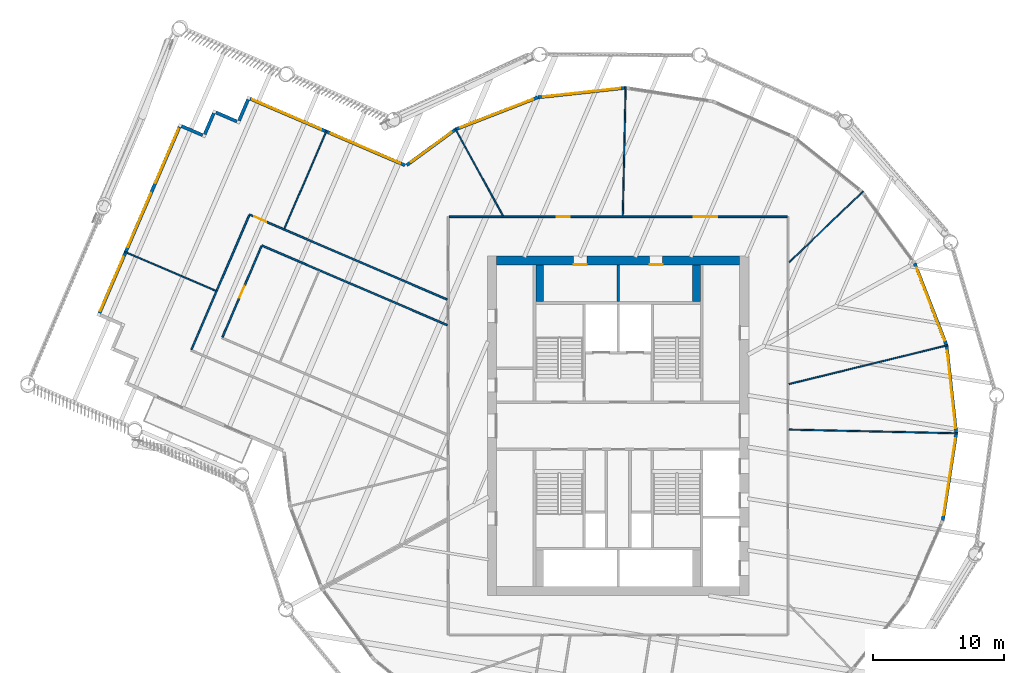
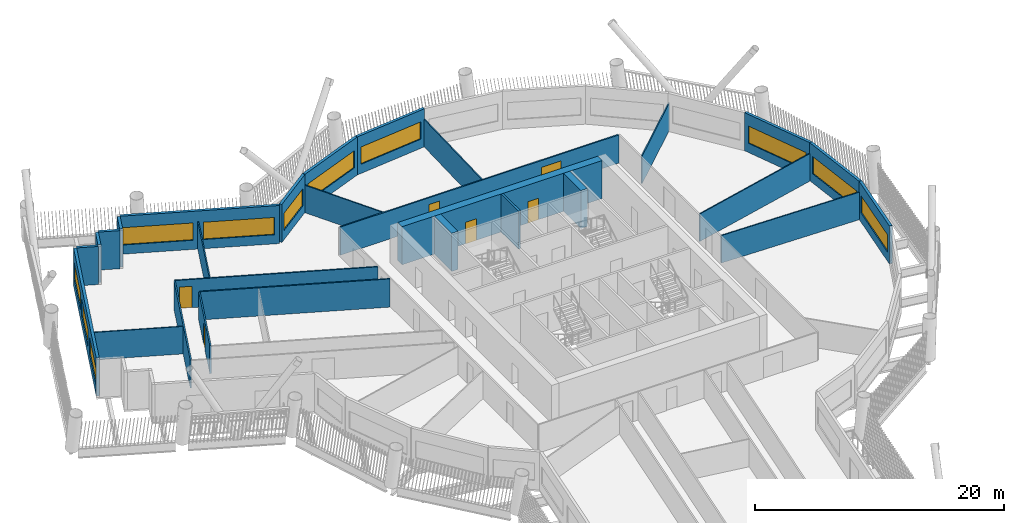
# One storey, part 6 of 22: 28 walls, 11 windows, 6 doors, 17 openings.
"""IFC4 building model written with IfcOpenShell, lengths in metres."""

from ifc_helpers import new_model, si_unit, direction, frame, frame_2d, origin, place, context, subcontext, project, spatial, rectangle, extrude, material, layer, layer_set, type_object, element, fill, save


model = new_model("IFC4")

# Units and contexts
model_context = context("Model", 3, precision=1e-05, world=origin(), true_north=direction((0.0, 1.0)))
body_context = subcontext(model_context, "Body", "Model", "MODEL_VIEW")
ifc_project = project(units=[si_unit("LENGTHUNIT", "METRE"), si_unit("AREAUNIT", "SQUARE_METRE"), si_unit("VOLUMEUNIT", "CUBIC_METRE"), si_unit("PLANEANGLEUNIT", "RADIAN"), si_unit("MASSUNIT", "GRAM", prefix="KILO")], contexts=[model_context])

# Site, building, storey
site_placement = place(None, origin())
site = spatial("IfcSite", under=ifc_project, at=site_placement, CompositionType="ELEMENT")
building_placement = place(site_placement, origin())
building = spatial("IfcBuilding", under=site, at=building_placement, Name="Tarsis Ring Headquarters", CompositionType="ELEMENT")
storey_placement = place(building_placement, frame((0.0, 0.0, 186.60009765625)))
storey = spatial("IfcBuildingStorey", under=building, at=storey_placement, Name="L43", CompositionType="ELEMENT", Elevation=186.60009765625)

# Wall
ifc_material_1 = material(Name="Blockwork", Category="masonry")
ifc_layer_1 = layer(ifc_material_1, 0.199951171875)
ifc_layer_set_1 = layer_set([ifc_layer_1], Name="Core blockwork wall 200")
wall_type_1 = type_object("IfcWallType", Name="Core blockwork wall 200", PredefinedType="PARTITIONING", material=ifc_layer_set_1)
wall_1_placement = place(storey_placement, frame((0.0, 9.5, 0.0), z_axis=(0.0, 0.0, 1.0), x_axis=(0.0, 1.0, 0.0)))
element("IfcWall", 1, at=wall_1_placement, inside=storey, type_object=wall_type_1, Name="Core partition ND2", PredefinedType="PARTITIONING", context=body_context, shape_type="SweptSolid", body=[
    extrude(rectangle(XDim=2.800048828125, YDim=0.199951171875, at=frame_2d((1.39990234375, 0.0))), origin(), (0.0, 0.0, 1.0), 3.739990234375),
])

# Wall, openings, doors
ifc_material_2 = material(Name="Concrete C60/75", Category="concrete")
ifc_layer_2 = layer(ifc_material_2, 0.699951171875)
ifc_layer_set_2 = layer_set([ifc_layer_2], Name="Core wall 700 C60/75")
wall_type_2 = type_object("IfcWallType", Name="Core wall 700 C60/75", PredefinedType="SHEAR", material=ifc_layer_set_2)
wall_2_placement = place(storey_placement, frame((-9.300048828125, 12.64990234375, 0.0), z_axis=(0.0, 0.0, 1.0), x_axis=(1.0, 0.0, 0.0)))
wall_2 = element("IfcWall", 2, at=wall_2_placement, inside=storey, type_object=wall_type_2, Name="Core wall ON", PredefinedType="SHEAR", context=body_context, shape_type="SweptSolid", body=[
    extrude(rectangle(XDim=18.60009765625, YDim=0.699951171875, at=frame_2d((9.300048828125, 0.0))), origin(), (0.0, 0.0, 1.0), 3.739990234375),
])
opening_1_placement = place(wall_2_placement, frame((5.89990234375, 0.0, 0.0)))
opening_1 = element("IfcOpeningElement", 3, at=opening_1_placement, cuts=wall_2, Name="Opening L43-C11", PredefinedType="OPENING", context=body_context, shape_type="SweptSolid", body=[
    extrude(rectangle(XDim=1.0, YDim=2.10009765625, at=frame_2d((0.5, 1.050048828125))), frame((0.0, 0.35986328125, 0.0), z_axis=(0.0, -1.0, 0.0), x_axis=(1.0, 0.0, 0.0)), (0.0, 0.0, 1.0), 0.719970703125),
])
opening_2_placement = place(wall_2_placement, frame((11.699951171875, 0.0, 0.0)))
opening_2 = element("IfcOpeningElement", 4, at=opening_2_placement, cuts=wall_2, Name="Opening L43-C12", PredefinedType="OPENING", context=body_context, shape_type="SweptSolid", body=[
    extrude(rectangle(XDim=1.0, YDim=2.10009765625, at=frame_2d((0.5, 1.050048828125))), frame((0.0, 0.35986328125, 0.0), z_axis=(0.0, -1.0, 0.0), x_axis=(1.0, 0.0, 0.0)), (0.0, 0.0, 1.0), 0.719970703125),
])
ifc_material_3 = material(Name="Steel S355", Category="steel")
door_type_1 = type_object("IfcDoorType", Name="Core room door 1000x2100", OperationType="SINGLE_SWING_LEFT", PredefinedType="DOOR", material=ifc_material_3)
door_1_placement = place(opening_1_placement, origin())
door_1 = element("IfcDoor", 5, at=door_1_placement, inside=storey, type_object=door_type_1, Name="Core room door L43", OperationType="SINGLE_SWING_LEFT", OverallHeight=2.10009765625, OverallWidth=1.0, PredefinedType="DOOR", context=body_context, shape_type="SweptSolid", body=[
    extrude(rectangle(XDim=1.0, YDim=2.10009765625, at=frame_2d((0.5, 1.050048828125))), frame((0.0, -0.2998046875, 0.0), z_axis=(0.0, -1.0, 0.0), x_axis=(1.0, 0.0, 0.0)), (0.0, 0.0, 1.0), 0.050048828125),
])
fill(opening_1, door_1)
door_2_placement = place(opening_2_placement, origin())
door_2 = element("IfcDoor", 6, at=door_2_placement, inside=storey, type_object=door_type_1, Name="Core room door L43", OperationType="SINGLE_SWING_LEFT", OverallHeight=2.10009765625, OverallWidth=1.0, PredefinedType="DOOR", context=body_context, shape_type="SweptSolid", body=[
    extrude(rectangle(XDim=1.0, YDim=2.10009765625, at=frame_2d((0.5, 1.050048828125))), frame((0.0, -0.2998046875, 0.0), z_axis=(0.0, -1.0, 0.0), x_axis=(1.0, 0.0, 0.0)), (0.0, 0.0, 1.0), 0.050048828125),
])
fill(opening_2, door_2)

# Walls
ifc_material_4 = material(Name="Gypsum board on steel studs", Category="steel")
ifc_layer_3 = layer(ifc_material_4, 0.10009765625)
ifc_layer_set_3 = layer_set([ifc_layer_3], Name="FL partition 100 unrated")
wall_type_3 = type_object("IfcWallType", Name="FL partition 100 unrated", PredefinedType="PARTITIONING", material=ifc_layer_set_3)
wall_3_placement = place(storey_placement, frame((13.070068359375, -0.28759765625, 0.0), z_axis=(0.0, 0.0, 1.0), x_axis=(0.999758456281, -0.021977922894, 0.0)))
element("IfcWall", 7, at=wall_3_placement, inside=storey, type_object=wall_type_3, Name="Partition PW3", PredefinedType="PARTITIONING", context=body_context, shape_type="SweptSolid", body=[
    extrude(rectangle(XDim=12.874755859375, YDim=0.10009765625, at=frame_2d((6.4375, 0.0))), origin(), (0.0, 0.0, 1.0), 2.699951171875),
])
wall_4_placement = place(storey_placement, frame((13.068115234375, 3.1953125, 0.0), z_axis=(0.0, 0.0, 1.0), x_axis=(0.971382378315, 0.237521104534, 0.0)))
element("IfcWall", 8, at=wall_4_placement, inside=storey, type_object=wall_type_3, Name="Partition PW3", PredefinedType="PARTITIONING", context=body_context, shape_type="SweptSolid", body=[
    extrude(rectangle(XDim=12.494873046875, YDim=0.10009765625, at=frame_2d((6.24755859375, 0.0))), origin(), (0.0, 0.0, 1.0), 2.699951171875),
])
wall_5_placement = place(storey_placement, frame((0.353515625, 16.070068359375, 0.0), z_axis=(0.0, 0.0, 1.0), x_axis=(0.021981134809, 0.999758385668, 0.0)))
element("IfcWall", 9, at=wall_5_placement, inside=storey, type_object=wall_type_3, Name="Partition PW3", PredefinedType="PARTITIONING", context=body_context, shape_type="SweptSolid", body=[
    extrude(rectangle(XDim=9.8740234375, YDim=0.10009765625, at=frame_2d((4.93701171875, 0.0))), origin(), (0.0, 0.0, 1.0), 2.699951171875),
])
wall_6_placement = place(storey_placement, frame((-25.5361328125, 15.0908203125, 0.0), z_axis=(0.0, 0.0, 1.0), x_axis=(0.394903665452, 0.91872253429, 0.0)))
element("IfcWall", 10, at=wall_6_placement, inside=storey, type_object=wall_type_3, Name="Partition PW3", PredefinedType="PARTITIONING", context=body_context, shape_type="SweptSolid", body=[
    extrude(rectangle(XDim=8.169921875, YDim=0.10009765625, at=frame_2d((4.0849609375, 0.0))), origin(), (0.0, 0.0, 1.0), 2.699951171875),
])
wall_7_placement = place(storey_placement, frame((13.086669921875, 12.5234375, 0.0), z_axis=(0.0, 0.0, 1.0), x_axis=(0.722486176953, 0.69138536585, 0.0)))
element("IfcWall", 11, at=wall_7_placement, inside=storey, type_object=wall_type_3, Name="Partition PW3", PredefinedType="PARTITIONING", context=body_context, shape_type="SweptSolid", body=[
    extrude(rectangle(XDim=7.834228515625, YDim=0.10009765625, at=frame_2d((3.9169921875, 0.0))), origin(), (0.0, 0.0, 1.0), 2.699951171875),
])
wall_8_placement = place(storey_placement, frame((-12.4765625, 22.751220703125, 0.0), z_axis=(0.0, 0.0, 1.0), x_axis=(0.480846932605, -0.876804554849, 0.0)))
element("IfcWall", 12, at=wall_8_placement, inside=storey, type_object=wall_type_3, Name="Partition PW3", PredefinedType="PARTITIONING", context=body_context, shape_type="SweptSolid", body=[
    extrude(rectangle(XDim=7.60986328125, YDim=0.10009765625, at=frame_2d((3.804931640625, 0.0))), origin(), (0.0, 0.0, 1.0), 2.699951171875),
])
wall_9_placement = place(storey_placement, frame((-37.75732421875, 13.323486328125, 0.0), z_axis=(0.0, 0.0, 1.0), x_axis=(0.91871967446, -0.394910318629, 0.0)))
element("IfcWall", 13, at=wall_9_placement, inside=storey, type_object=wall_type_3, Name="Partition PW3", PredefinedType="PARTITIONING", context=body_context, shape_type="SweptSolid", body=[
    extrude(rectangle(XDim=7.580078125, YDim=0.10009765625, at=frame_2d((3.7900390625, 0.0))), origin(), (0.0, 0.0, 1.0), 2.699951171875),
])

# Wall, openings, doors
ifc_layer_4 = layer(ifc_material_4, 0.125)
ifc_layer_set_4 = layer_set([ifc_layer_4], Name="FL partition 125 EI 60 H2770")
wall_type_4 = type_object("IfcWallType", Name="FL partition 125 EI 60 H2770", PredefinedType="PARTITIONING", material=ifc_layer_set_4)
wall_10_placement = place(storey_placement, frame((-12.93798828125, 16.0, 0.0), z_axis=(0.0, 0.0, 1.0), x_axis=(1.0, 0.0, 0.0)))
wall_10 = element("IfcWall", 14, at=wall_10_placement, inside=storey, type_object=wall_type_4, Name="Partition PW1", PredefinedType="PARTITIONING", context=body_context, shape_type="SweptSolid", body=[
    extrude(rectangle(XDim=25.8779296875, YDim=0.125, at=frame_2d((12.93896484375, 0.0))), origin(), (0.0, 0.0, 1.0), 2.77001953125),
])
opening_3_placement = place(wall_10_placement, frame((8.226806640625, 0.0, 0.0)))
opening_3 = element("IfcOpeningElement", 15, at=opening_3_placement, cuts=wall_10, Name="Opening D43.04", PredefinedType="OPENING", context=body_context, shape_type="SweptSolid", body=[
    extrude(rectangle(XDim=1.0, YDim=2.10009765625, at=frame_2d((0.5, 1.050048828125))), frame((0.0, 0.072509765625, 0.0), z_axis=(0.0, -1.0, 0.0), x_axis=(1.0, 0.0, 0.0)), (0.0, 0.0, 1.0), 0.14501953125),
])
opening_4_placement = place(wall_10_placement, frame((18.714111328125, 0.0, 0.0)))
opening_4 = element("IfcOpeningElement", 16, at=opening_4_placement, cuts=wall_10, Name="Opening D43.05", PredefinedType="OPENING", context=body_context, shape_type="SweptSolid", body=[
    extrude(rectangle(XDim=1.800048828125, YDim=2.10009765625, at=frame_2d((0.89990234375, 1.050048828125))), frame((0.0, 0.072509765625, 0.0), z_axis=(0.0, -1.0, 0.0), x_axis=(1.0, 0.0, 0.0)), (0.0, 0.0, 1.0), 0.14501953125),
])
ifc_material_5 = material(Name="Fire-rated timber door leaf in steel frame", Category="steel")
door_type_2 = type_object("IfcDoorType", Name="FL door FD60-1000", OperationType="NOTDEFINED", PredefinedType="DOOR", material=ifc_material_5)
door_3_placement = place(opening_3_placement, origin())
door_3 = element("IfcDoor", 17, at=door_3_placement, inside=storey, type_object=door_type_2, Name="Door D43.04", OperationType="SINGLE_SWING_LEFT", OverallHeight=2.10009765625, OverallWidth=1.0, PredefinedType="DOOR", context=body_context, shape_type="SweptSolid", body=[
    extrude(rectangle(XDim=1.0, YDim=2.10009765625, at=frame_2d((0.5, 1.050048828125))), frame((0.0, 0.02490234375, 0.0), z_axis=(0.0, -1.0, 0.0), x_axis=(1.0, 0.0, 0.0)), (0.0, 0.0, 1.0), 0.050048828125),
])
fill(opening_3, door_3)
door_type_3 = type_object("IfcDoorType", Name="FL door FD60-1800", OperationType="DOUBLE_DOOR_SINGLE_SWING", PredefinedType="DOOR", material=ifc_material_5)
door_4_placement = place(opening_4_placement, origin())
door_4 = element("IfcDoor", 18, at=door_4_placement, inside=storey, type_object=door_type_3, Name="Door D43.05", OperationType="DOUBLE_DOOR_SINGLE_SWING", OverallHeight=2.10009765625, OverallWidth=1.800048828125, PredefinedType="DOOR", context=body_context, shape_type="SweptSolid", body=[
    extrude(rectangle(XDim=1.800048828125, YDim=2.10009765625, at=frame_2d((0.89990234375, 1.050048828125))), frame((0.0, 0.02490234375, 0.0), z_axis=(0.0, -1.0, 0.0), x_axis=(1.0, 0.0, 0.0)), (0.0, 0.0, 1.0), 0.050048828125),
])
fill(opening_4, door_4)

# Wall, opening, door
wall_11_placement = place(storey_placement, frame((-28.209716796875, 16.163818359375, 0.0), z_axis=(0.0, 0.0, 1.0), x_axis=(0.918721912761, -0.394905111404, 0.0)))
wall_11 = element("IfcWall", 19, at=wall_11_placement, inside=storey, type_object=wall_type_4, Name="Partition PW1", PredefinedType="PARTITIONING", context=body_context, shape_type="SweptSolid", body=[
    extrude(rectangle(XDim=16.46533203125, YDim=0.125, at=frame_2d((8.232666015625, 0.0))), origin(), (0.0, 0.0, 1.0), 2.77001953125),
])
opening_5_placement = place(wall_11_placement, frame((0.39990234375, 0.0, 0.0)))
opening_5 = element("IfcOpeningElement", 20, at=opening_5_placement, cuts=wall_11, Name="Opening D43.02", PredefinedType="OPENING", context=body_context, shape_type="SweptSolid", body=[
    extrude(rectangle(XDim=1.0, YDim=2.10009765625, at=frame_2d((0.5, 1.050048828125))), frame((0.0, 0.072509765625, 0.0), z_axis=(0.0, -1.0, 0.0), x_axis=(1.0, 0.0, 0.0)), (0.0, 0.0, 1.0), 0.14501953125),
])
door_5_placement = place(opening_5_placement, origin())
door_5 = element("IfcDoor", 21, at=door_5_placement, inside=storey, type_object=door_type_2, Name="Door D43.02", OperationType="SINGLE_SWING_LEFT", OverallHeight=2.10009765625, OverallWidth=1.0, PredefinedType="DOOR", context=body_context, shape_type="SweptSolid", body=[
    extrude(rectangle(XDim=1.0, YDim=2.10009765625, at=frame_2d((0.5, 1.050048828125))), frame((0.0, 0.02490234375, 0.0), z_axis=(0.0, -1.0, 0.0), x_axis=(1.0, 0.0, 0.0)), (0.0, 0.0, 1.0), 0.050048828125),
])
fill(opening_5, door_5)

# Walls
wall_12_placement = place(storey_placement, frame((-27.266845703125, 13.79931640625, 0.0), z_axis=(0.0, 0.0, 1.0), x_axis=(0.918721630716, -0.394905767563, 0.0)))
element("IfcWall", 22, at=wall_12_placement, inside=storey, type_object=wall_type_4, Name="Partition PW1", PredefinedType="PARTITIONING", context=body_context, shape_type="SweptSolid", body=[
    extrude(rectangle(XDim=15.43896484375, YDim=0.125, at=frame_2d((7.719482421875, 0.0))), origin(), (0.0, 0.0, 1.0), 2.77001953125),
])
wall_13_placement = place(storey_placement, frame((-32.6484375, 5.83740234375, 0.0), z_axis=(0.0, 0.0, 1.0), x_axis=(0.394907401105, 0.918720928548, 0.0)))
element("IfcWall", 23, at=wall_13_placement, inside=storey, type_object=wall_type_4, Name="Partition PW1", PredefinedType="PARTITIONING", context=body_context, shape_type="SweptSolid", body=[
    extrude(rectangle(XDim=11.179931640625, YDim=0.125, at=frame_2d((5.58984375, 0.0))), origin(), (0.0, 0.0, 1.0), 2.77001953125),
])

# Wall, opening, door
wall_14_placement = place(storey_placement, frame((-30.28369140625, 6.7802734375, 0.0), z_axis=(0.0, 0.0, 1.0), x_axis=(0.394883132529, 0.91873135989, 0.0)))
wall_14 = element("IfcWall", 24, at=wall_14_placement, inside=storey, type_object=wall_type_4, Name="Partition PW1", PredefinedType="PARTITIONING", context=body_context, shape_type="SweptSolid", body=[
    extrude(rectangle(XDim=7.579833984375, YDim=0.125, at=frame_2d((3.7900390625, 0.0))), origin(), (0.0, 0.0, 1.0), 2.77001953125),
])
opening_6_placement = place(wall_14_placement, frame((3.2900390625, 0.0, 0.0)))
opening_6 = element("IfcOpeningElement", 25, at=opening_6_placement, cuts=wall_14, Name="Opening D43.15", PredefinedType="OPENING", context=body_context, shape_type="SweptSolid", body=[
    extrude(rectangle(XDim=1.0, YDim=2.10009765625, at=frame_2d((0.5, 1.050048828125))), frame((0.0, 0.072509765625, 0.0), z_axis=(0.0, -1.0, 0.0), x_axis=(1.0, 0.0, 0.0)), (0.0, 0.0, 1.0), 0.14501953125),
])
door_6_placement = place(opening_6_placement, origin())
door_6 = element("IfcDoor", 26, at=door_6_placement, inside=storey, type_object=door_type_2, Name="Door D43.15", OperationType="SINGLE_SWING_RIGHT", OverallHeight=2.10009765625, OverallWidth=1.0, PredefinedType="DOOR", context=body_context, shape_type="SweptSolid", body=[
    extrude(rectangle(XDim=1.0, YDim=2.10009765625, at=frame_2d((0.5, 1.050048828125))), frame((0.0, 0.02490234375, 0.0), z_axis=(0.0, -1.0, 0.0), x_axis=(1.0, 0.0, 0.0)), (0.0, 0.0, 1.0), 0.050048828125),
])
fill(opening_6, door_6)

# Wall, opening, window
ifc_material_6 = material(Name="Terracotta clad insulated panel wall", Category="masonry")
ifc_layer_5 = layer(ifc_material_6, 0.25)
ifc_layer_set_5 = layer_set([ifc_layer_5], Name="Facade wall terracotta panel 250")
wall_type_5 = type_object("IfcWallType", Name="Facade wall terracotta panel 250", PredefinedType="STANDARD", material=ifc_layer_set_5)
wall_15_placement = place(storey_placement, frame((24.841552734375, -7.228271484375, 0.0), z_axis=(0.0, 0.0, 1.0), x_axis=(0.152300099274, 0.98833429555, 0.0)))
wall_15 = element("IfcWall", 27, at=wall_15_placement, inside=storey, type_object=wall_type_5, Name="External wall L43-21", PredefinedType="STANDARD", context=body_context, shape_type="SweptSolid", body=[
    extrude(rectangle(XDim=6.721435546875, YDim=0.25, at=frame_2d((3.36083984375, 0.0))), origin(), (0.0, 0.0, 1.0), 3.739990234375),
])
opening_7_placement = place(wall_15_placement, frame((0.3857421875, 0.0, 0.89990234375)))
opening_7 = element("IfcOpeningElement", 28, at=opening_7_placement, cuts=wall_15, Name="Opening WN07", PredefinedType="OPENING", context=body_context, shape_type="SweptSolid", body=[
    extrude(rectangle(XDim=5.949951171875, YDim=1.699951171875, at=frame_2d((2.97509765625, 0.85009765625))), frame((0.0, 0.135009765625, 0.0), z_axis=(0.0, -1.0, 0.0), x_axis=(1.0, 0.0, 0.0)), (0.0, 0.0, 1.0), 0.27001953125),
])
ifc_material_7 = material(Name="Aluminium framed double glazing", Category="aluminium")
window_type_1 = type_object("IfcWindowType", Name="Facade window 5950 x 1700", PartitioningType="SINGLE_PANEL", PredefinedType="WINDOW", material=ifc_material_7)
window_1_placement = place(opening_7_placement, origin())
window_1 = element("IfcWindow", 29, at=window_1_placement, inside=storey, type_object=window_type_1, Name="Window L43-21.1", OverallHeight=1.699951171875, OverallWidth=5.949951171875, PartitioningType="SINGLE_PANEL", PredefinedType="WINDOW", context=body_context, shape_type="SweptSolid", body=[
    extrude(rectangle(XDim=5.949951171875, YDim=1.699951171875, at=frame_2d((2.97509765625, 0.85009765625))), frame((0.0, 0.030029296875, 0.0), z_axis=(0.0, -1.0, 0.0), x_axis=(1.0, 0.0, 0.0)), (0.0, 0.0, 1.0), 0.06005859375),
])
fill(opening_7, window_1)

wall_16_placement = place(storey_placement, frame((25.865966796875, -0.552490234375, 0.0), z_axis=(0.0, 0.0, 1.0), x_axis=(-0.108713131371, 0.99407316384, 0.0)))
wall_16 = element("IfcWall", 30, at=wall_16_placement, inside=storey, type_object=wall_type_5, Name="External wall L43-22", PredefinedType="STANDARD", context=body_context, shape_type="SweptSolid", body=[
    extrude(rectangle(XDim=6.721435546875, YDim=0.25, at=frame_2d((3.36083984375, 0.0))), origin(), (0.0, 0.0, 1.0), 3.739990234375),
])
opening_8_placement = place(wall_16_placement, frame((0.3857421875, 0.0, 0.89990234375)))
opening_8 = element("IfcOpeningElement", 31, at=opening_8_placement, cuts=wall_16, Name="Opening WN07", PredefinedType="OPENING", context=body_context, shape_type="SweptSolid", body=[
    extrude(rectangle(XDim=5.949951171875, YDim=1.699951171875, at=frame_2d((2.97509765625, 0.85009765625))), frame((0.0, 0.135009765625, 0.0), z_axis=(0.0, -1.0, 0.0), x_axis=(1.0, 0.0, 0.0)), (0.0, 0.0, 1.0), 0.27001953125),
])
window_2_placement = place(opening_8_placement, origin())
window_2 = element("IfcWindow", 32, at=window_2_placement, inside=storey, type_object=window_type_1, Name="Window L43-22.1", OverallHeight=1.699951171875, OverallWidth=5.949951171875, PartitioningType="SINGLE_PANEL", PredefinedType="WINDOW", context=body_context, shape_type="SweptSolid", body=[
    extrude(rectangle(XDim=5.949951171875, YDim=1.699951171875, at=frame_2d((2.97509765625, 0.85009765625))), frame((0.0, 0.030029296875, 0.0), z_axis=(0.0, -1.0, 0.0), x_axis=(1.0, 0.0, 0.0)), (0.0, 0.0, 1.0), 0.06005859375),
])
fill(opening_8, window_2)

wall_17_placement = place(storey_placement, frame((25.12744140625, 6.160888671875, 0.0), z_axis=(0.0, 0.0, 1.0), x_axis=(-0.362279737074, 0.932069413781, 0.0)))
wall_17 = element("IfcWall", 33, at=wall_17_placement, inside=storey, type_object=wall_type_5, Name="External wall L43-23", PredefinedType="STANDARD", context=body_context, shape_type="SweptSolid", body=[
    extrude(rectangle(XDim=6.721435546875, YDim=0.25, at=frame_2d((3.36083984375, 0.0))), origin(), (0.0, 0.0, 1.0), 3.739990234375),
])
opening_9_placement = place(wall_17_placement, frame((0.3857421875, 0.0, 0.89990234375)))
opening_9 = element("IfcOpeningElement", 34, at=opening_9_placement, cuts=wall_17, Name="Opening WN07", PredefinedType="OPENING", context=body_context, shape_type="SweptSolid", body=[
    extrude(rectangle(XDim=5.949951171875, YDim=1.699951171875, at=frame_2d((2.97509765625, 0.85009765625))), frame((0.0, 0.135009765625, 0.0), z_axis=(0.0, -1.0, 0.0), x_axis=(1.0, 0.0, 0.0)), (0.0, 0.0, 1.0), 0.27001953125),
])
window_3_placement = place(opening_9_placement, origin())
window_3 = element("IfcWindow", 35, at=window_3_placement, inside=storey, type_object=window_type_1, Name="Window L43-23.1", OverallHeight=1.699951171875, OverallWidth=5.949951171875, PartitioningType="SINGLE_PANEL", PredefinedType="WINDOW", context=body_context, shape_type="SweptSolid", body=[
    extrude(rectangle(XDim=5.949951171875, YDim=1.699951171875, at=frame_2d((2.97509765625, 0.85009765625))), frame((0.0, 0.030029296875, 0.0), z_axis=(0.0, -1.0, 0.0), x_axis=(1.0, 0.0, 0.0)), (0.0, 0.0, 1.0), 0.06005859375),
])
fill(opening_9, window_3)

wall_18_placement = place(storey_placement, frame((0.552490234375, 25.865966796875, 0.0), z_axis=(0.0, 0.0, 1.0), x_axis=(-0.99407316384, -0.108713131371, 0.0)))
wall_18 = element("IfcWall", 36, at=wall_18_placement, inside=storey, type_object=wall_type_5, Name="External wall L43-28", PredefinedType="STANDARD", context=body_context, shape_type="SweptSolid", body=[
    extrude(rectangle(XDim=6.721435546875, YDim=0.25, at=frame_2d((3.36083984375, 0.0))), origin(), (0.0, 0.0, 1.0), 3.739990234375),
])
opening_10_placement = place(wall_18_placement, frame((0.3857421875, 0.0, 0.89990234375)))
opening_10 = element("IfcOpeningElement", 37, at=opening_10_placement, cuts=wall_18, Name="Opening WN07", PredefinedType="OPENING", context=body_context, shape_type="SweptSolid", body=[
    extrude(rectangle(XDim=5.949951171875, YDim=1.699951171875, at=frame_2d((2.97509765625, 0.85009765625))), frame((0.0, 0.135009765625, 0.0), z_axis=(0.0, -1.0, 0.0), x_axis=(1.0, 0.0, 0.0)), (0.0, 0.0, 1.0), 0.27001953125),
])
window_4_placement = place(opening_10_placement, origin())
window_4 = element("IfcWindow", 38, at=window_4_placement, inside=storey, type_object=window_type_1, Name="Window L43-28.1", OverallHeight=1.699951171875, OverallWidth=5.949951171875, PartitioningType="SINGLE_PANEL", PredefinedType="WINDOW", context=body_context, shape_type="SweptSolid", body=[
    extrude(rectangle(XDim=5.949951171875, YDim=1.699951171875, at=frame_2d((2.97509765625, 0.85009765625))), frame((0.0, 0.030029296875, 0.0), z_axis=(0.0, -1.0, 0.0), x_axis=(1.0, 0.0, 0.0)), (0.0, 0.0, 1.0), 0.06005859375),
])
fill(opening_10, window_4)

wall_19_placement = place(storey_placement, frame((-6.160888671875, 25.12744140625, 0.0), z_axis=(0.0, 0.0, 1.0), x_axis=(-0.932069413781, -0.362279737074, 0.0)))
wall_19 = element("IfcWall", 39, at=wall_19_placement, inside=storey, type_object=wall_type_5, Name="External wall L43-29", PredefinedType="STANDARD", context=body_context, shape_type="SweptSolid", body=[
    extrude(rectangle(XDim=6.721435546875, YDim=0.25, at=frame_2d((3.36083984375, 0.0))), origin(), (0.0, 0.0, 1.0), 3.739990234375),
])
opening_11_placement = place(wall_19_placement, frame((0.3857421875, 0.0, 0.89990234375)))
opening_11 = element("IfcOpeningElement", 40, at=opening_11_placement, cuts=wall_19, Name="Opening WN07", PredefinedType="OPENING", context=body_context, shape_type="SweptSolid", body=[
    extrude(rectangle(XDim=5.949951171875, YDim=1.699951171875, at=frame_2d((2.97509765625, 0.85009765625))), frame((0.0, 0.135009765625, 0.0), z_axis=(0.0, -1.0, 0.0), x_axis=(1.0, 0.0, 0.0)), (0.0, 0.0, 1.0), 0.27001953125),
])
window_5_placement = place(opening_11_placement, origin())
window_5 = element("IfcWindow", 41, at=window_5_placement, inside=storey, type_object=window_type_1, Name="Window L43-29.1", OverallHeight=1.699951171875, OverallWidth=5.949951171875, PartitioningType="SINGLE_PANEL", PredefinedType="WINDOW", context=body_context, shape_type="SweptSolid", body=[
    extrude(rectangle(XDim=5.949951171875, YDim=1.699951171875, at=frame_2d((2.97509765625, 0.85009765625))), frame((0.0, 0.030029296875, 0.0), z_axis=(0.0, -1.0, 0.0), x_axis=(1.0, 0.0, 0.0)), (0.0, 0.0, 1.0), 0.06005859375),
])
fill(opening_11, window_5)

wall_20_placement = place(storey_placement, frame((-12.454345703125, 22.6767578125, 0.0), z_axis=(0.0, 0.0, 1.0), x_axis=(-0.806549517538, -0.591166538091, 0.0)))
wall_20 = element("IfcWall", 42, at=wall_20_placement, inside=storey, type_object=wall_type_5, Name="External wall L43-30", PredefinedType="STANDARD", context=body_context, shape_type="SweptSolid", body=[
    extrude(rectangle(XDim=4.617919921875, YDim=0.25, at=frame_2d((2.30908203125, 0.0))), origin(), (0.0, 0.0, 1.0), 3.739990234375),
])
opening_12_placement = place(wall_20_placement, frame((0.367431640625, 0.0, 0.89990234375)))
opening_12 = element("IfcOpeningElement", 43, at=opening_12_placement, cuts=wall_20, Name="Opening WN02", PredefinedType="OPENING", context=body_context, shape_type="SweptSolid", body=[
    extrude(rectangle(XDim=3.85009765625, YDim=1.699951171875, at=frame_2d((1.925048828125, 0.85009765625))), frame((0.0, 0.135009765625, 0.0), z_axis=(0.0, -1.0, 0.0), x_axis=(1.0, 0.0, 0.0)), (0.0, 0.0, 1.0), 0.27001953125),
])
window_type_2 = type_object("IfcWindowType", Name="Facade window 3850 x 1700", PartitioningType="SINGLE_PANEL", PredefinedType="WINDOW", material=ifc_material_7)
window_6_placement = place(opening_12_placement, origin())
window_6 = element("IfcWindow", 44, at=window_6_placement, inside=storey, type_object=window_type_2, Name="Window L43-30.1", OverallHeight=1.699951171875, OverallWidth=3.85009765625, PartitioningType="SINGLE_PANEL", PredefinedType="WINDOW", context=body_context, shape_type="SweptSolid", body=[
    extrude(rectangle(XDim=3.85009765625, YDim=1.699951171875, at=frame_2d((1.925048828125, 0.85009765625))), frame((0.0, 0.030029296875, 0.0), z_axis=(0.0, -1.0, 0.0), x_axis=(1.0, 0.0, 0.0)), (0.0, 0.0, 1.0), 0.06005859375),
])
fill(opening_12, window_6)

# Wall, openings, windows
wall_21_placement = place(storey_placement, frame((-16.302001953125, 19.932861328125, 0.0), z_axis=(0.0, 0.0, 1.0), x_axis=(-0.918724598389, 0.3948988634, 0.0)))
wall_21 = element("IfcWall", 45, at=wall_21_placement, inside=storey, type_object=wall_type_5, Name="External wall L43-31", PredefinedType="STANDARD", context=body_context, shape_type="SweptSolid", body=[
    extrude(rectangle(XDim=12.9013671875, YDim=0.25, at=frame_2d((6.45068359375, 0.0))), origin(), (0.0, 0.0, 1.0), 3.739990234375),
])
opening_13_placement = place(wall_21_placement, frame((0.412841796875, 0.0, 0.89990234375)))
opening_13 = element("IfcOpeningElement", 46, at=opening_13_placement, cuts=wall_21, Name="Opening WN06", PredefinedType="OPENING", context=body_context, shape_type="SweptSolid", body=[
    extrude(rectangle(XDim=5.75, YDim=1.699951171875, at=frame_2d((2.875, 0.85009765625))), frame((0.0, 0.135009765625, 0.0), z_axis=(0.0, -1.0, 0.0), x_axis=(1.0, 0.0, 0.0)), (0.0, 0.0, 1.0), 0.27001953125),
])
opening_14_placement = place(wall_21_placement, frame((6.988525390625, 0.0, 0.89990234375)))
opening_14 = element("IfcOpeningElement", 47, at=opening_14_placement, cuts=wall_21, Name="Opening WN06", PredefinedType="OPENING", context=body_context, shape_type="SweptSolid", body=[
    extrude(rectangle(XDim=5.75, YDim=1.699951171875, at=frame_2d((2.875, 0.85009765625))), frame((0.0, 0.135009765625, 0.0), z_axis=(0.0, -1.0, 0.0), x_axis=(1.0, 0.0, 0.0)), (0.0, 0.0, 1.0), 0.27001953125),
])
window_type_3 = type_object("IfcWindowType", Name="Facade window 5750 x 1700", PartitioningType="SINGLE_PANEL", PredefinedType="WINDOW", material=ifc_material_7)
window_7_placement = place(opening_13_placement, origin())
window_7 = element("IfcWindow", 48, at=window_7_placement, inside=storey, type_object=window_type_3, Name="Window L43-31.1", OverallHeight=1.699951171875, OverallWidth=5.75, PartitioningType="SINGLE_PANEL", PredefinedType="WINDOW", context=body_context, shape_type="SweptSolid", body=[
    extrude(rectangle(XDim=5.75, YDim=1.699951171875, at=frame_2d((2.875, 0.85009765625))), frame((0.0, 0.030029296875, 0.0), z_axis=(0.0, -1.0, 0.0), x_axis=(1.0, 0.0, 0.0)), (0.0, 0.0, 1.0), 0.06005859375),
])
fill(opening_13, window_7)
window_8_placement = place(opening_14_placement, origin())
window_8 = element("IfcWindow", 49, at=window_8_placement, inside=storey, type_object=window_type_3, Name="Window L43-31.2", OverallHeight=1.699951171875, OverallWidth=5.75, PartitioningType="SINGLE_PANEL", PredefinedType="WINDOW", context=body_context, shape_type="SweptSolid", body=[
    extrude(rectangle(XDim=5.75, YDim=1.699951171875, at=frame_2d((2.875, 0.85009765625))), frame((0.0, 0.030029296875, 0.0), z_axis=(0.0, -1.0, 0.0), x_axis=(1.0, 0.0, 0.0)), (0.0, 0.0, 1.0), 0.06005859375),
])
fill(opening_14, window_8)

# Walls
wall_22_placement = place(storey_placement, frame((-28.319091796875, 24.962158203125, 0.0), z_axis=(0.0, 0.0, 1.0), x_axis=(-0.394845231269, -0.918747649436, 0.0)))
element("IfcWall", 50, at=wall_22_placement, inside=storey, type_object=wall_type_5, Name="External wall L43-32", PredefinedType="STANDARD", context=body_context, shape_type="SweptSolid", body=[
    extrude(rectangle(XDim=1.749755859375, YDim=0.25, at=frame_2d((0.875, 0.0))), origin(), (0.0, 0.0, 1.0), 3.739990234375),
])
for number, where, z_axis, x_axis, name in (
    (51, (-29.17431640625, 23.288818359375, 0.0), (0.0, 0.0, 1.0), (-0.9186970315, 0.394962991067, 0.0), "External wall L43-33"),
    (52, (-30.9462890625, 23.91455078125, 0.0), (0.0, 0.0, 1.0), (-0.394962991067, -0.9186970315, 0.0), "External wall L43-34"),
):
    element("IfcWall", number, at=place(storey_placement, frame(where, z_axis=z_axis, x_axis=x_axis)), inside=storey, type_object=wall_type_5, Name=name, PredefinedType="STANDARD", context=body_context, shape_type="SweptSolid", body=[
        extrude(rectangle(XDim=1.75, YDim=0.25, at=frame_2d((0.875, 0.0))), origin(), (0.0, 0.0, 1.0), 3.739990234375),
    ])
wall_23_placement = place(storey_placement, frame((-31.801513671875, 22.2412109375, 0.0), z_axis=(0.0, 0.0, 1.0), x_axis=(-0.918718790847, 0.394912374262, 0.0)))
element("IfcWall", 53, at=wall_23_placement, inside=storey, type_object=wall_type_5, Name="External wall L43-35", PredefinedType="STANDARD", context=body_context, shape_type="SweptSolid", body=[
    extrude(rectangle(XDim=1.750244140625, YDim=0.25, at=frame_2d((0.875, 0.0))), origin(), (0.0, 0.0, 1.0), 3.739990234375),
])

# Wall, openings, windows
wall_24_placement = place(storey_placement, frame((-33.573486328125, 22.866943359375, 0.0), z_axis=(0.0, 0.0, 1.0), x_axis=(-0.394907578066, -0.918720852482, 0.0)))
wall_24 = element("IfcWall", 54, at=wall_24_placement, inside=storey, type_object=wall_type_5, Name="External wall L43-36", PredefinedType="STANDARD", context=body_context, shape_type="SweptSolid", body=[
    extrude(rectangle(XDim=15.5, YDim=0.25, at=frame_2d((7.75, 0.0))), origin(), (0.0, 0.0, 1.0), 3.739990234375),
])
opening_15_placement = place(wall_24_placement, frame((0.166748046875, 0.0, 0.89990234375)))
opening_15 = element("IfcOpeningElement", 55, at=opening_15_placement, cuts=wall_24, Name="Opening WN04", PredefinedType="OPENING", context=body_context, shape_type="SweptSolid", body=[
    extrude(rectangle(XDim=4.5, YDim=1.699951171875, at=frame_2d((2.25, 0.85009765625))), frame((0.0, 0.135009765625, 0.0), z_axis=(0.0, -1.0, 0.0), x_axis=(1.0, 0.0, 0.0)), (0.0, 0.0, 1.0), 0.27001953125),
])
opening_16_placement = place(wall_24_placement, frame((5.5, 0.0, 0.89990234375)))
opening_16 = element("IfcOpeningElement", 56, at=opening_16_placement, cuts=wall_24, Name="Opening WN04", PredefinedType="OPENING", context=body_context, shape_type="SweptSolid", body=[
    extrude(rectangle(XDim=4.5, YDim=1.699951171875, at=frame_2d((2.25, 0.85009765625))), frame((0.0, 0.135009765625, 0.0), z_axis=(0.0, -1.0, 0.0), x_axis=(1.0, 0.0, 0.0)), (0.0, 0.0, 1.0), 0.27001953125),
])
opening_17_placement = place(wall_24_placement, frame((10.833251953125, 0.0, 0.89990234375)))
opening_17 = element("IfcOpeningElement", 57, at=opening_17_placement, cuts=wall_24, Name="Opening WN04", PredefinedType="OPENING", context=body_context, shape_type="SweptSolid", body=[
    extrude(rectangle(XDim=4.5, YDim=1.699951171875, at=frame_2d((2.25, 0.85009765625))), frame((0.0, 0.135009765625, 0.0), z_axis=(0.0, -1.0, 0.0), x_axis=(1.0, 0.0, 0.0)), (0.0, 0.0, 1.0), 0.27001953125),
])
window_type_4 = type_object("IfcWindowType", Name="Facade window 4500 x 1700", PartitioningType="SINGLE_PANEL", PredefinedType="WINDOW", material=ifc_material_7)
window_9_placement = place(opening_15_placement, origin())
window_9 = element("IfcWindow", 58, at=window_9_placement, inside=storey, type_object=window_type_4, Name="Window L43-36.1", OverallHeight=1.699951171875, OverallWidth=4.5, PartitioningType="SINGLE_PANEL", PredefinedType="WINDOW", context=body_context, shape_type="SweptSolid", body=[
    extrude(rectangle(XDim=4.5, YDim=1.699951171875, at=frame_2d((2.25, 0.85009765625))), frame((0.0, 0.030029296875, 0.0), z_axis=(0.0, -1.0, 0.0), x_axis=(1.0, 0.0, 0.0)), (0.0, 0.0, 1.0), 0.06005859375),
])
fill(opening_15, window_9)
window_10_placement = place(opening_16_placement, origin())
window_10 = element("IfcWindow", 59, at=window_10_placement, inside=storey, type_object=window_type_4, Name="Window L43-36.2", OverallHeight=1.699951171875, OverallWidth=4.5, PartitioningType="SINGLE_PANEL", PredefinedType="WINDOW", context=body_context, shape_type="SweptSolid", body=[
    extrude(rectangle(XDim=4.5, YDim=1.699951171875, at=frame_2d((2.25, 0.85009765625))), frame((0.0, 0.030029296875, 0.0), z_axis=(0.0, -1.0, 0.0), x_axis=(1.0, 0.0, 0.0)), (0.0, 0.0, 1.0), 0.06005859375),
])
fill(opening_16, window_10)
window_11_placement = place(opening_17_placement, origin())
window_11 = element("IfcWindow", 60, at=window_11_placement, inside=storey, type_object=window_type_4, Name="Window L43-36.3", OverallHeight=1.699951171875, OverallWidth=4.5, PartitioningType="SINGLE_PANEL", PredefinedType="WINDOW", context=body_context, shape_type="SweptSolid", body=[
    extrude(rectangle(XDim=4.5, YDim=1.699951171875, at=frame_2d((2.25, 0.85009765625))), frame((0.0, 0.030029296875, 0.0), z_axis=(0.0, -1.0, 0.0), x_axis=(1.0, 0.0, 0.0)), (0.0, 0.0, 1.0), 0.06005859375),
])
fill(opening_17, window_11)

# Walls
ifc_material_8 = material(Name="Concrete C32/40", Category="concrete")
ifc_layer_6 = layer(ifc_material_8, 0.60009765625)
ifc_layer_set_6 = layer_set([ifc_layer_6], Name="Shaft end wall 600 C32/40")
wall_type_6 = type_object("IfcWallType", Name="Shaft end wall 600 C32/40", PredefinedType="SOLIDWALL", material=ifc_layer_set_6)
for number, where, z_axis, x_axis, name in (
    (61, (-6.0, 9.5, 0.0), (0.0, 0.0, 1.0), (0.0, 1.0, 0.0), "Core shaft wall NNE1"),
    (62, (6.0, 9.5, 0.0), (0.0, 0.0, 1.0), (0.0, 1.0, 0.0), "Core shaft wall NNE2"),
):
    element("IfcWall", number, at=place(storey_placement, frame(where, z_axis=z_axis, x_axis=x_axis)), inside=storey, type_object=wall_type_6, Name=name, PredefinedType="SOLIDWALL", context=body_context, shape_type="SweptSolid", body=[
        extrude(rectangle(XDim=2.800048828125, YDim=0.60009765625, at=frame_2d((1.39990234375, 0.0))), origin(), (0.0, 0.0, 1.0), 3.739990234375),
    ])

save(model, "model.ifc")
